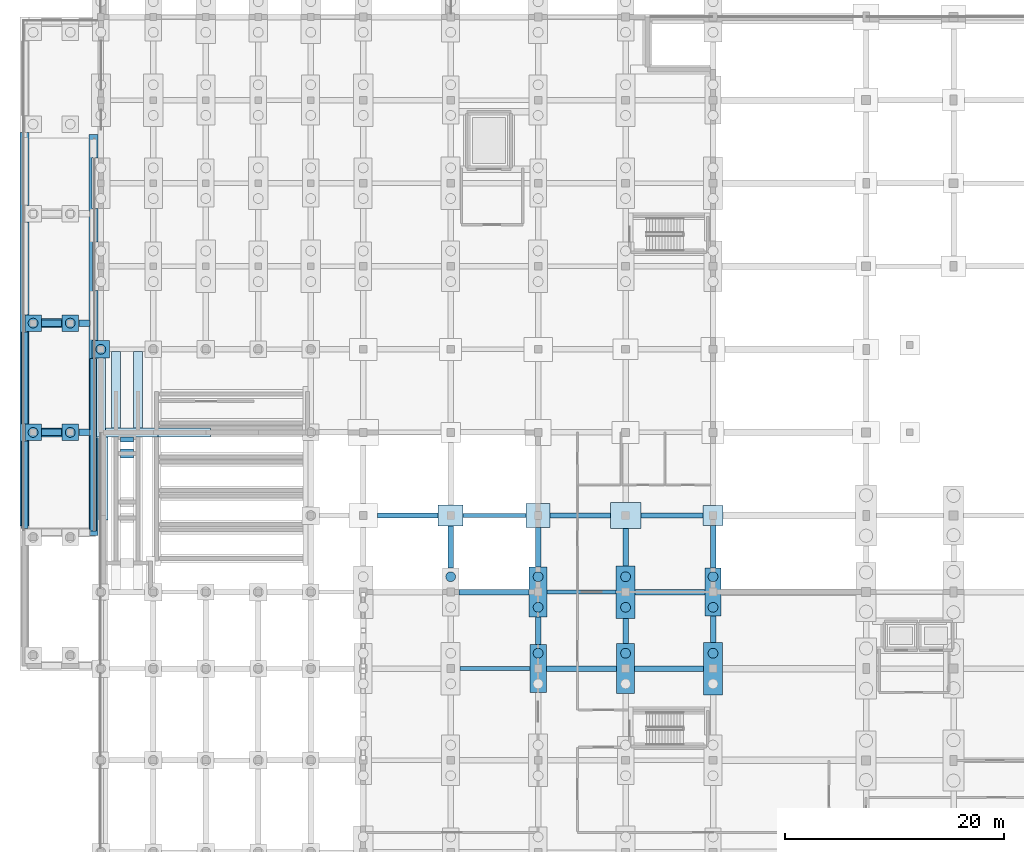
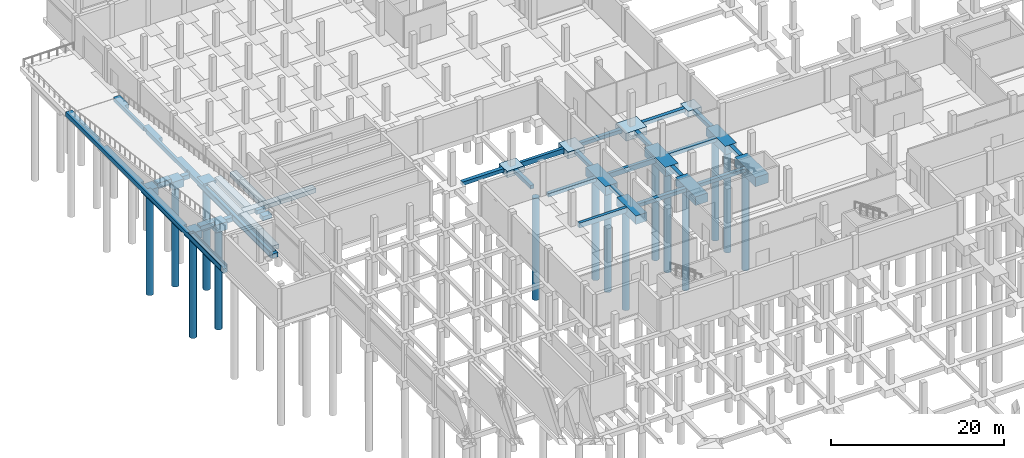
# One storey, part 11 of 50: 51 footings, 15 piles.
"""IFC4 building model written with IfcOpenShell, lengths in metres."""

from ifc_helpers import new_model, si_unit, direction, frame, origin, origin_2d, place, context, subcontext, project, spatial, polyline, rectangle, circle, outline, extrude, material, material_profile, profile_set, type_object, element, save


model = new_model("IFC4")

# Units and contexts
model_context = context("Model", 3, precision=1e-05, world=origin(), true_north=direction((0.0, 1.0)))
body_context = subcontext(model_context, "Body", "Model", "MODEL_VIEW")
ifc_project = project(units=[si_unit("LENGTHUNIT", "METRE"), si_unit("AREAUNIT", "SQUARE_METRE"), si_unit("VOLUMEUNIT", "CUBIC_METRE"), si_unit("PLANEANGLEUNIT", "RADIAN"), si_unit("MASSUNIT", "GRAM", prefix="KILO")], contexts=[model_context])

# Site, building, storey
site_placement = place(None, origin())
site = spatial("IfcSite", under=ifc_project, at=site_placement, CompositionType="ELEMENT")
building_placement = place(site_placement, origin())
building = spatial("IfcBuilding", under=site, at=building_placement, Name="Vekula Escarpment Museum", CompositionType="ELEMENT")
storey_placement = place(building_placement, frame((0.0, 0.0, -4.800048828125)))
storey = spatial("IfcBuildingStorey", under=building, at=storey_placement, Name="B1", CompositionType="ELEMENT", Elevation=-4.800048828125)

# Footings
ifc_material_1 = material(Name="Concrete C35/45", Category="concrete")
footing_type_1 = type_object("IfcFootingType", Name="FB-STRIP-600", PredefinedType="STRIP_FOOTING", material=ifc_material_1)
footing_1_placement = place(storey_placement, frame((0.0, 0.0, -0.89990234375)))
element("IfcFooting", 1, at=footing_1_placement, inside=storey, type_object=footing_type_1, Name="Vehicle Ramp Strip Footing RMP-SLOPE-W-1", PredefinedType="STRIP_FOOTING", context=body_context, shape_type="SweptSolid", body=[
    extrude(outline(polyline([(-7.27490234375, 89.18994140625), (-6.675048828125, 89.18994140625), (-6.675048828125, 97.2099609375), (-7.27490234375, 97.2099609375), (-7.27490234375, 89.18994140625)])), origin(), (0.0, 0.0, 1.0), 0.599853515625),
])
footing_2_placement = place(storey_placement, frame((0.0, 0.0, -0.89990234375)))
element("IfcFooting", 2, at=footing_2_placement, inside=storey, type_object=footing_type_1, Name="Vehicle Ramp Strip Footing RMP-SLOPE-W-2", PredefinedType="STRIP_FOOTING", context=body_context, shape_type="SweptSolid", body=[
    extrude(outline(polyline([(-7.27490234375, 98.7900390625), (-6.675048828125, 98.7900390625), (-6.675048828125, 107.2099609375), (-7.27490234375, 107.2099609375), (-7.27490234375, 98.7900390625)])), origin(), (0.0, 0.0, 1.0), 0.599853515625),
])
footing_3_placement = place(storey_placement, frame((0.0, 0.0, -0.89990234375)))
element("IfcFooting", 3, at=footing_3_placement, inside=storey, type_object=footing_type_1, Name="Vehicle Ramp Strip Footing RMP-SLOPE-E-1", PredefinedType="STRIP_FOOTING", context=body_context, shape_type="SweptSolid", body=[
    extrude(outline(polyline([(-0.985107421875, 89.0), (-0.385009765625, 89.0), (-0.385009765625, 104.760009765625), (-0.985107421875, 104.760009765625), (-0.985107421875, 89.0)])), origin(), (0.0, 0.0, 1.0), 0.599853515625),
])
footing_4_placement = place(storey_placement, frame((0.0, 0.0, -0.89990234375)))
element("IfcFooting", 4, at=footing_4_placement, inside=storey, type_object=footing_type_1, Name="Vehicle Ramp Strip Footing RMP-X-98-1", PredefinedType="STRIP_FOOTING", context=body_context, shape_type="SweptSolid", body=[
    extrude(outline(polyline([(-5.409912109375, 97.699951171875), (-3.590087890625, 97.699951171875), (-3.590087890625, 98.300048828125), (-5.409912109375, 98.300048828125), (-5.409912109375, 97.699951171875)])), origin(), (0.0, 0.0, 1.0), 0.599853515625),
])
footing_5_placement = place(storey_placement, frame((0.0, 0.0, -0.89990234375)))
element("IfcFooting", 5, at=footing_5_placement, inside=storey, type_object=footing_type_1, Name="Vehicle Ramp Strip Footing RMP-X-98-2", PredefinedType="STRIP_FOOTING", context=body_context, shape_type="SweptSolid", body=[
    extrude(outline(polyline([(-2.010009765625, 97.699951171875), (-1.02490234375, 97.699951171875), (-1.02490234375, 98.300048828125), (-2.010009765625, 98.300048828125), (-2.010009765625, 97.699951171875)])), origin(), (0.0, 0.0, 1.0), 0.599853515625),
])
footing_6_placement = place(storey_placement, frame((0.0, 0.0, -0.89990234375)))
element("IfcFooting", 6, at=footing_6_placement, inside=storey, type_object=footing_type_1, Name="Vehicle Ramp Strip Footing RMP-X-108-1", PredefinedType="STRIP_FOOTING", context=body_context, shape_type="SweptSolid", body=[
    extrude(outline(polyline([(-5.409912109375, 107.699951171875), (-3.590087890625, 107.699951171875), (-3.590087890625, 108.300048828125), (-5.409912109375, 108.300048828125), (-5.409912109375, 107.699951171875)])), origin(), (0.0, 0.0, 1.0), 0.599853515625),
])
footing_7_placement = place(storey_placement, frame((0.0, 0.0, -0.89990234375)))
element("IfcFooting", 7, at=footing_7_placement, inside=storey, type_object=footing_type_1, Name="Vehicle Ramp Strip Footing RMP-X-108-2", PredefinedType="STRIP_FOOTING", context=body_context, shape_type="SweptSolid", body=[
    extrude(outline(polyline([(-2.010009765625, 107.699951171875), (-1.02490234375, 107.699951171875), (-1.02490234375, 108.300048828125), (-2.010009765625, 108.300048828125), (-2.010009765625, 107.699951171875)])), origin(), (0.0, 0.0, 1.0), 0.599853515625),
])
footing_8_placement = place(storey_placement, frame((0.0, 0.0, -0.599853515625)))
element("IfcFooting", 8, at=footing_8_placement, inside=storey, type_object=footing_type_1, Name="Plinth Wall Strip Footing 0041", PredefinedType="STRIP_FOOTING", context=body_context, shape_type="SweptSolid", body=[
    extrude(outline(polyline([(0.419921875, 97.56005859375), (-0.381103515625, 97.56005859375), (-0.381103515625, 104.763916015625), (-0.419921875, 104.763916015625), (-0.419921875, 104.7958984375), (0.419921875, 104.7958984375), (0.419921875, 97.56005859375)])), origin(), (0.0, 0.0, 1.0), 0.599853515625),
])
footing_9_placement = place(storey_placement, frame((0.0, 0.0, -0.599853515625)))
element("IfcFooting", 9, at=footing_9_placement, inside=storey, type_object=footing_type_1, Name="Plinth Wall Strip Footing 0042", PredefinedType="STRIP_FOOTING", context=body_context, shape_type="SweptSolid", body=[
    extrude(outline(polyline([(5.219970703125, 98.419921875), (5.219970703125, 97.580078125), (0.424072265625, 97.580078125), (0.424072265625, 98.419921875), (5.219970703125, 98.419921875)])), origin(), (0.0, 0.0, 1.0), 0.599853515625),
])
footing_10_placement = place(storey_placement, frame((0.0, 0.0, -0.599853515625)))
element("IfcFooting", 10, at=footing_10_placement, inside=storey, type_object=footing_type_1, Name="Plinth Wall Strip Footing 0043", PredefinedType="STRIP_FOOTING", context=body_context, shape_type="SweptSolid", body=[
    extrude(outline(polyline([(10.02001953125, 98.419921875), (10.02001953125, 97.580078125), (5.22412109375, 97.580078125), (5.22412109375, 98.419921875), (10.02001953125, 98.419921875)])), origin(), (0.0, 0.0, 1.0), 0.599853515625),
])
footing_11_placement = place(storey_placement, frame((0.0, 0.0, -0.599853515625)))
element("IfcFooting", 11, at=footing_11_placement, inside=storey, type_object=footing_type_1, Name="Plinth Wall Strip Footing 0127", PredefinedType="STRIP_FOOTING", context=body_context, shape_type="SweptSolid", body=[
    extrude(outline(polyline([(0.64501953125, 89.97998046875), (-0.195068359375, 89.97998046875), (-0.195068359375, 97.555908203125), (0.424072265625, 97.555908203125), (0.424072265625, 97.575927734375), (0.64501953125, 97.575927734375), (0.64501953125, 89.97998046875)])), origin(), (0.0, 0.0, 1.0), 0.599853515625),
])
footing_12_placement = place(storey_placement, frame((0.0, 0.0, -0.599853515625)))
element("IfcFooting", 12, at=footing_12_placement, inside=storey, type_object=footing_type_1, Name="Plinth Wall Strip Footing 0147", PredefinedType="STRIP_FOOTING", context=body_context, shape_type="SweptSolid", body=[
    extrude(outline(polyline([(1.81005859375, 98.424072265625), (0.969970703125, 98.424072265625), (0.969970703125, 105.39599609375), (1.81005859375, 105.39599609375), (1.81005859375, 98.424072265625)])), origin(), (0.0, 0.0, 1.0), 0.599853515625),
])
footing_13_placement = place(storey_placement, frame((0.0, 0.0, -0.599853515625)))
element("IfcFooting", 13, at=footing_13_placement, inside=storey, type_object=footing_type_1, Name="Plinth Wall Strip Footing 0149", PredefinedType="STRIP_FOOTING", context=body_context, shape_type="SweptSolid", body=[
    extrude(outline(polyline([(3.830078125, 98.424072265625), (2.989990234375, 98.424072265625), (2.989990234375, 105.39599609375), (3.830078125, 105.39599609375), (3.830078125, 98.424072265625)])), origin(), (0.0, 0.0, 1.0), 0.599853515625),
])
footing_14_placement = place(storey_placement, frame((0.0, 0.0, -0.599853515625)))
element("IfcFooting", 14, at=footing_14_placement, inside=storey, type_object=footing_type_1, Name="Plinth Wall Strip Footing 0150", PredefinedType="STRIP_FOOTING", context=body_context, shape_type="SweptSolid", body=[
    extrude(outline(polyline([(1.81396484375, 95.659912109375), (1.81396484375, 96.5), (2.986083984375, 96.5), (2.986083984375, 95.659912109375), (1.81396484375, 95.659912109375)])), origin(), (0.0, 0.0, 1.0), 0.599853515625),
])
footing_15_placement = place(storey_placement, frame((0.0, 0.0, -0.599853515625)))
element("IfcFooting", 15, at=footing_15_placement, inside=storey, type_object=footing_type_1, Name="Plinth Wall Strip Footing 0151", PredefinedType="STRIP_FOOTING", context=body_context, shape_type="SweptSolid", body=[
    extrude(outline(polyline([(1.81396484375, 97.110107421875), (1.81396484375, 97.575927734375), (2.986083984375, 97.575927734375), (2.986083984375, 97.110107421875), (1.81396484375, 97.110107421875)])), origin(), (0.0, 0.0, 1.0), 0.599853515625),
])
footing_16_placement = place(storey_placement, frame((0.0, 0.0, -0.599853515625)))
element("IfcFooting", 16, at=footing_16_placement, inside=storey, type_object=footing_type_1, Name="Plinth Wall Strip Footing 0209", PredefinedType="STRIP_FOOTING", context=body_context, shape_type="SweptSolid", body=[
    extrude(outline(polyline([(-6.554931640625, 89.444091796875), (-6.6708984375, 89.444091796875), (-6.6708984375, 97.214111328125), (-7.279052734375, 97.214111328125), (-7.279052734375, 89.444091796875), (-7.39501953125, 89.444091796875), (-7.39501953125, 125.43994140625), (-6.554931640625, 125.43994140625), (-6.554931640625, 118.75390625), (-6.9541015625, 118.75390625), (-6.9541015625, 117.24609375), (-6.554931640625, 117.24609375), (-6.554931640625, 108.75390625), (-6.9541015625, 108.75390625), (-6.9541015625, 107.24609375), (-6.554931640625, 107.24609375), (-6.554931640625, 98.75390625), (-6.9541015625, 98.75390625), (-6.9541015625, 97.24609375), (-6.554931640625, 97.24609375), (-6.554931640625, 89.444091796875)])), origin(), (0.0, 0.0, 1.0), 0.599853515625),
])
footing_17_placement = place(storey_placement, frame((0.0, 0.0, -0.599853515625)))
element("IfcFooting", 17, at=footing_17_placement, inside=storey, type_object=footing_type_1, Name="Plinth Wall Strip Footing 0210", PredefinedType="STRIP_FOOTING", context=body_context, shape_type="SweptSolid", body=[
    extrude(outline(polyline([(-0.264892578125, 88.56005859375), (-1.02099609375, 88.56005859375), (-1.02099609375, 89.154052734375), (-1.10498046875, 89.154052734375), (-1.10498046875, 97.696044921875), (-1.02099609375, 97.696044921875), (-1.02099609375, 98.303955078125), (-1.10498046875, 98.303955078125), (-1.10498046875, 107.696044921875), (-1.02099609375, 107.696044921875), (-1.02099609375, 108.303955078125), (-1.10498046875, 108.303955078125), (-1.10498046875, 117.696044921875), (-1.02099609375, 117.696044921875), (-1.02099609375, 118.303955078125), (-1.10498046875, 118.303955078125), (-1.10498046875, 125.239990234375), (-0.264892578125, 125.239990234375), (-0.264892578125, 123.10400390625), (-0.8291015625, 123.10400390625), (-0.8291015625, 118.49609375), (-0.264892578125, 118.49609375), (-0.264892578125, 115.404052734375), (-0.75390625, 115.404052734375), (-0.75390625, 110.99609375), (-0.264892578125, 110.99609375), (-0.264892578125, 106.404052734375), (-0.803955078125, 106.404052734375), (-0.803955078125, 104.7958984375), (-0.424072265625, 104.7958984375), (-0.424072265625, 104.763916015625), (-0.989013671875, 104.763916015625), (-0.989013671875, 88.99609375), (-0.381103515625, 88.99609375), (-0.381103515625, 97.555908203125), (-0.264892578125, 97.555908203125), (-0.264892578125, 88.56005859375)])), origin(), (0.0, 0.0, 1.0), 0.599853515625),
])
footing_18_placement = place(storey_placement, frame((0.0, 0.0, -0.599853515625)))
element("IfcFooting", 18, at=footing_18_placement, inside=storey, type_object=footing_type_1, Name="Plinth Wall Strip Footing 0215", PredefinedType="STRIP_FOOTING", context=body_context, shape_type="SweptSolid", body=[
    extrude(outline(polyline([(-5.446044921875, 97.580078125), (-5.446044921875, 98.419921875), (-3.553955078125, 98.419921875), (-3.553955078125, 97.580078125), (-5.446044921875, 97.580078125)])), origin(), (0.0, 0.0, 1.0), 0.599853515625),
])
footing_19_placement = place(storey_placement, frame((0.0, 0.0, -0.599853515625)))
element("IfcFooting", 19, at=footing_19_placement, inside=storey, type_object=footing_type_1, Name="Plinth Wall Strip Footing 0216", PredefinedType="STRIP_FOOTING", context=body_context, shape_type="SweptSolid", body=[
    extrude(outline(polyline([(-5.446044921875, 107.580078125), (-5.446044921875, 108.419921875), (-3.553955078125, 108.419921875), (-3.553955078125, 107.580078125), (-5.446044921875, 107.580078125)])), origin(), (0.0, 0.0, 1.0), 0.599853515625),
])
ifc_material_2 = material(Name="Concrete C35/45", Category="concrete")
ifc_material_profile_1 = material_profile(ifc_material_2, rectangle(XDim=0.39990234375, YDim=0.699951171875, at=origin_2d()), Name="RC 400x700")
ifc_profile_set_1 = profile_set([ifc_material_profile_1], Name="Concrete C35/45")
footing_type_2 = type_object("IfcFootingType", Name="FB-TIE-400x700", PredefinedType="FOOTING_BEAM", material=ifc_profile_set_1)
footing_20_placement = place(storey_placement, frame((32.875, 76.39990234375, -0.349853515625), z_axis=(1.0, 0.0, 0.0), x_axis=(0.0, 1.0, 0.0)))
element("IfcFooting", 20, at=footing_20_placement, inside=storey, type_object=footing_type_2, Name="Foundation Tie Beam 216", PredefinedType="FOOTING_BEAM", context=body_context, shape_type="SweptSolid", body=[
    extrude(rectangle(XDim=0.39990234375, YDim=0.699951171875, at=origin_2d()), origin(), (0.0, 0.0, 1.0), 6.375),
])
footing_21_placement = place(storey_placement, frame((40.824951171875, 83.39990234375, -0.349853515625), z_axis=(1.0, 0.0, 0.0), x_axis=(0.0, 1.0, 0.0)))
element("IfcFooting", 21, at=footing_21_placement, inside=storey, type_object=footing_type_2, Name="Foundation Tie Beam 240", PredefinedType="FOOTING_BEAM", context=body_context, shape_type="SweptSolid", body=[
    extrude(rectangle(XDim=0.39990234375, YDim=0.699951171875, at=origin_2d()), origin(), (0.0, 0.0, 1.0), 6.300048828125),
])
footing_22_placement = place(storey_placement, frame((33.14990234375, 90.39990234375, -0.349853515625), z_axis=(1.0, 0.0, 0.0), x_axis=(0.0, 1.0, 0.0)))
element("IfcFooting", 22, at=footing_22_placement, inside=storey, type_object=footing_type_2, Name="Foundation Tie Beam 258", PredefinedType="FOOTING_BEAM", context=body_context, shape_type="SweptSolid", body=[
    extrude(rectangle(XDim=0.39990234375, YDim=0.699951171875, at=origin_2d()), origin(), (0.0, 0.0, 1.0), 5.75),
])
ifc_material_3 = material(Name="Concrete C35/45", Category="concrete")
ifc_material_profile_2 = material_profile(ifc_material_3, rectangle(XDim=0.5, YDim=0.5, at=origin_2d()), Name="RC 500x500")
ifc_profile_set_2 = profile_set([ifc_material_profile_2], Name="Concrete C35/45")
footing_type_3 = type_object("IfcFootingType", Name="FB-TIE-500x500", PredefinedType="FOOTING_BEAM", material=ifc_profile_set_2)
footing_23_placement = place(storey_placement, frame((40.75, 76.39990234375, -0.25), z_axis=(1.0, 0.0, 0.0), x_axis=(0.0, 1.0, 0.0)))
element("IfcFooting", 23, at=footing_23_placement, inside=storey, type_object=footing_type_3, Name="Foundation Tie Beam 217", PredefinedType="FOOTING_BEAM", context=body_context, shape_type="SweptSolid", body=[
    extrude(rectangle(XDim=0.5, YDim=0.5, at=origin_2d()), origin(), (0.0, 0.0, 1.0), 6.425048828125),
])
footing_24_placement = place(storey_placement, frame((48.824951171875, 76.39990234375, -0.25), z_axis=(1.0, 0.0, 0.0), x_axis=(0.0, 1.0, 0.0)))
element("IfcFooting", 24, at=footing_24_placement, inside=storey, type_object=footing_type_3, Name="Foundation Tie Beam 218", PredefinedType="FOOTING_BEAM", context=body_context, shape_type="SweptSolid", body=[
    extrude(rectangle(XDim=0.5, YDim=0.5, at=origin_2d()), origin(), (0.0, 0.0, 1.0), 6.300048828125),
])
footing_25_placement = place(storey_placement, frame((32.75, 83.39990234375, -0.25), z_axis=(1.0, 0.0, 0.0), x_axis=(0.0, 1.0, 0.0)))
element("IfcFooting", 25, at=footing_25_placement, inside=storey, type_object=footing_type_3, Name="Foundation Tie Beam 239", PredefinedType="FOOTING_BEAM", context=body_context, shape_type="SweptSolid", body=[
    extrude(rectangle(XDim=0.5, YDim=0.5, at=origin_2d()), origin(), (0.0, 0.0, 1.0), 6.425048828125),
])
footing_26_placement = place(storey_placement, frame((48.875, 83.39990234375, -0.25), z_axis=(1.0, 0.0, 0.0), x_axis=(0.0, 1.0, 0.0)))
element("IfcFooting", 26, at=footing_26_placement, inside=storey, type_object=footing_type_3, Name="Foundation Tie Beam 241", PredefinedType="FOOTING_BEAM", context=body_context, shape_type="SweptSolid", body=[
    extrude(rectangle(XDim=0.5, YDim=0.5, at=origin_2d()), origin(), (0.0, 0.0, 1.0), 6.375),
])
footing_27_placement = place(storey_placement, frame((25.300048828125, 90.39990234375, -0.25), z_axis=(1.0, 0.0, 0.0), x_axis=(0.0, 1.0, 0.0)))
element("IfcFooting", 27, at=footing_27_placement, inside=storey, type_object=footing_type_3, Name="Foundation Tie Beam 257", PredefinedType="FOOTING_BEAM", context=body_context, shape_type="SweptSolid", body=[
    extrude(rectangle(XDim=0.5, YDim=0.5, at=origin_2d()), origin(), (0.0, 0.0, 1.0), 5.550048828125),
])
footing_28_placement = place(storey_placement, frame((41.10009765625, 90.39990234375, -0.25), z_axis=(1.0, 0.0, 0.0), x_axis=(0.0, 1.0, 0.0)))
element("IfcFooting", 28, at=footing_28_placement, inside=storey, type_object=footing_type_3, Name="Foundation Tie Beam 259", PredefinedType="FOOTING_BEAM", context=body_context, shape_type="SweptSolid", body=[
    extrude(rectangle(XDim=0.5, YDim=0.5, at=origin_2d()), origin(), (0.0, 0.0, 1.0), 5.5),
])
footing_29_placement = place(storey_placement, frame((49.39990234375, 90.39990234375, -0.25), z_axis=(1.0, 0.0, 0.0), x_axis=(0.0, 1.0, 0.0)))
element("IfcFooting", 29, at=footing_29_placement, inside=storey, type_object=footing_type_3, Name="Foundation Tie Beam 260", PredefinedType="FOOTING_BEAM", context=body_context, shape_type="SweptSolid", body=[
    extrude(rectangle(XDim=0.5, YDim=0.5, at=origin_2d()), origin(), (0.0, 0.0, 1.0), 5.7001953125),
])
footing_30_placement = place(storey_placement, frame((32.0, 85.60009765625, -0.25), z_axis=(0.0, 1.0, 0.0), x_axis=(-1.0, 0.0, 0.0)))
element("IfcFooting", 30, at=footing_30_placement, inside=storey, type_object=footing_type_3, Name="Foundation Tie Beam 489", PredefinedType="FOOTING_BEAM", context=body_context, shape_type="SweptSolid", body=[
    extrude(rectangle(XDim=0.5, YDim=0.5, at=origin_2d()), origin(), (0.0, 0.0, 1.0), 3.849853515625),
])
footing_31_placement = place(storey_placement, frame((40.0, 78.60009765625, -0.25), z_axis=(0.0, 1.0, 0.0), x_axis=(-1.0, 0.0, 0.0)))
element("IfcFooting", 31, at=footing_31_placement, inside=storey, type_object=footing_type_3, Name="Foundation Tie Beam 506", PredefinedType="FOOTING_BEAM", context=body_context, shape_type="SweptSolid", body=[
    extrude(rectangle(XDim=0.5, YDim=0.5, at=origin_2d()), origin(), (0.0, 0.0, 1.0), 2.5),
])
footing_32_placement = place(storey_placement, frame((40.0, 85.699951171875, -0.25), z_axis=(0.0, 1.0, 0.0), x_axis=(-1.0, 0.0, 0.0)))
element("IfcFooting", 32, at=footing_32_placement, inside=storey, type_object=footing_type_3, Name="Foundation Tie Beam 507", PredefinedType="FOOTING_BEAM", context=body_context, shape_type="SweptSolid", body=[
    extrude(rectangle(XDim=0.5, YDim=0.5, at=origin_2d()), origin(), (0.0, 0.0, 1.0), 3.60009765625),
])
footing_33_placement = place(storey_placement, frame((48.0, 78.699951171875, -0.25), z_axis=(0.0, 1.0, 0.0), x_axis=(-1.0, 0.0, 0.0)))
element("IfcFooting", 33, at=footing_33_placement, inside=storey, type_object=footing_type_3, Name="Foundation Tie Beam 524", PredefinedType="FOOTING_BEAM", context=body_context, shape_type="SweptSolid", body=[
    extrude(rectangle(XDim=0.5, YDim=0.5, at=origin_2d()), origin(), (0.0, 0.0, 1.0), 2.300048828125),
])
footing_34_placement = place(storey_placement, frame((48.0, 85.800048828125, -0.25), z_axis=(0.0, 1.0, 0.0), x_axis=(-1.0, 0.0, 0.0)))
element("IfcFooting", 34, at=footing_34_placement, inside=storey, type_object=footing_type_3, Name="Foundation Tie Beam 525", PredefinedType="FOOTING_BEAM", context=body_context, shape_type="SweptSolid", body=[
    extrude(rectangle(XDim=0.5, YDim=0.5, at=origin_2d()), origin(), (0.0, 0.0, 1.0), 3.39990234375),
])
footing_35_placement = place(storey_placement, frame((56.0, 78.800048828125, -0.25), z_axis=(0.0, 1.0, 0.0), x_axis=(-1.0, 0.0, 0.0)))
element("IfcFooting", 35, at=footing_35_placement, inside=storey, type_object=footing_type_3, Name="Foundation Tie Beam 542", PredefinedType="FOOTING_BEAM", context=body_context, shape_type="SweptSolid", body=[
    extrude(rectangle(XDim=0.5, YDim=0.5, at=origin_2d()), origin(), (0.0, 0.0, 1.0), 2.39990234375),
])
footing_36_placement = place(storey_placement, frame((56.0, 85.60009765625, -0.25), z_axis=(0.0, 1.0, 0.0), x_axis=(-1.0, 0.0, 0.0)))
element("IfcFooting", 36, at=footing_36_placement, inside=storey, type_object=footing_type_3, Name="Foundation Tie Beam 543", PredefinedType="FOOTING_BEAM", context=body_context, shape_type="SweptSolid", body=[
    extrude(rectangle(XDim=0.5, YDim=0.5, at=origin_2d()), origin(), (0.0, 0.0, 1.0), 3.89990234375),
])
ifc_material_4 = material(Name="Concrete C35/45", Category="concrete")
footing_type_4 = type_object("IfcFootingType", Name="FC-PAD1", PredefinedType="PAD_FOOTING", material=ifc_material_4)
footing_37_placement = place(storey_placement, frame((0.0, 0.0, -0.849853515625)))
element("IfcFooting", 37, at=footing_37_placement, inside=storey, type_object=footing_type_4, Name="Foundation FC-PAD1 (56.0,90.4)", PredefinedType="PAD_FOOTING", context=body_context, shape_type="SweptSolid", body=[
    extrude(outline(polyline([(55.10009765625, 89.5), (56.89990234375, 89.5), (56.89990234375, 91.300048828125), (55.10009765625, 91.300048828125), (55.10009765625, 89.5)])), origin(), (0.0, 0.0, 1.0), 0.849853515625),
])
ifc_material_5 = material(Name="Concrete C35/45", Category="concrete")
footing_type_5 = type_object("IfcFootingType", Name="FC-PAD3", PredefinedType="PAD_FOOTING", material=ifc_material_5)
footing_38_placement = place(storey_placement, frame((0.0, 0.0, -0.949951171875)))
element("IfcFooting", 38, at=footing_38_placement, inside=storey, type_object=footing_type_5, Name="Foundation FC-PAD3 (40.0,90.4)", PredefinedType="PAD_FOOTING", context=body_context, shape_type="SweptSolid", body=[
    extrude(outline(polyline([(38.89990234375, 89.300048828125), (41.10009765625, 89.300048828125), (41.10009765625, 91.5), (38.89990234375, 91.5), (38.89990234375, 89.300048828125)])), origin(), (0.0, 0.0, 1.0), 0.949951171875),
])
ifc_material_6 = material(Name="Concrete C35/45", Category="concrete")
footing_type_6 = type_object("IfcFootingType", Name="FC-PAD6", PredefinedType="PAD_FOOTING", material=ifc_material_6)
footing_39_placement = place(storey_placement, frame((0.0, 0.0, -1.099853515625)))
element("IfcFooting", 39, at=footing_39_placement, inside=storey, type_object=footing_type_6, Name="Foundation FC-PAD6 (48.0,90.4)", PredefinedType="PAD_FOOTING", context=body_context, shape_type="SweptSolid", body=[
    extrude(outline(polyline([(46.60009765625, 89.199951171875), (49.39990234375, 89.199951171875), (49.39990234375, 91.60009765625), (46.60009765625, 91.60009765625), (46.60009765625, 89.199951171875)])), origin(), (0.0, 0.0, 1.0), 1.099853515625),
])
ifc_material_7 = material(Name="Concrete C35/45", Category="concrete")
footing_type_7 = type_object("IfcFootingType", Name="FC-PAD8", PredefinedType="PAD_FOOTING", material=ifc_material_7)
footing_40_placement = place(storey_placement, frame((0.0, 0.0, -0.89990234375)))
element("IfcFooting", 40, at=footing_40_placement, inside=storey, type_object=footing_type_7, Name="Foundation FC-PAD8 (32.0,90.4)", PredefinedType="PAD_FOOTING", context=body_context, shape_type="SweptSolid", body=[
    extrude(outline(polyline([(30.85009765625, 89.449951171875), (33.14990234375, 89.449951171875), (33.14990234375, 91.35009765625), (30.85009765625, 91.35009765625), (30.85009765625, 89.449951171875)])), origin(), (0.0, 0.0, 1.0), 0.89990234375),
])
ifc_material_8 = material(Name="Concrete C35/45", Category="concrete")
footing_type_8 = type_object("IfcFootingType", Name="FC-PC1A", PredefinedType="PILE_CAP", material=ifc_material_8)
footing_41_placement = place(storey_placement, frame((0.0, 0.0, -1.39990234375)))
element("IfcFooting", 41, at=footing_41_placement, inside=storey, type_object=footing_type_8, Name="Vehicle Ramp Pile Cap 05", PredefinedType="PILE_CAP", context=body_context, shape_type="SweptSolid", body=[
    extrude(outline(polyline([(-6.949951171875, 97.25), (-5.449951171875, 97.25), (-5.449951171875, 98.75), (-6.949951171875, 98.75), (-6.949951171875, 97.25)])), origin(), (0.0, 0.0, 1.0), 1.099853515625),
])
footing_42_placement = place(storey_placement, frame((0.0, 0.0, -1.39990234375)))
element("IfcFooting", 42, at=footing_42_placement, inside=storey, type_object=footing_type_8, Name="Vehicle Ramp Pile Cap 06", PredefinedType="PILE_CAP", context=body_context, shape_type="SweptSolid", body=[
    extrude(outline(polyline([(-3.550048828125, 97.25), (-2.050048828125, 97.25), (-2.050048828125, 98.75), (-3.550048828125, 98.75), (-3.550048828125, 97.25)])), origin(), (0.0, 0.0, 1.0), 1.099853515625),
])
footing_43_placement = place(storey_placement, frame((0.0, 0.0, -1.39990234375)))
element("IfcFooting", 43, at=footing_43_placement, inside=storey, type_object=footing_type_8, Name="Vehicle Ramp Pile Cap 07", PredefinedType="PILE_CAP", context=body_context, shape_type="SweptSolid", body=[
    extrude(outline(polyline([(-6.949951171875, 107.25), (-5.449951171875, 107.25), (-5.449951171875, 108.75), (-6.949951171875, 108.75), (-6.949951171875, 107.25)])), origin(), (0.0, 0.0, 1.0), 1.099853515625),
])
footing_44_placement = place(storey_placement, frame((0.0, 0.0, -1.39990234375)))
element("IfcFooting", 44, at=footing_44_placement, inside=storey, type_object=footing_type_8, Name="Vehicle Ramp Pile Cap 08", PredefinedType="PILE_CAP", context=body_context, shape_type="SweptSolid", body=[
    extrude(outline(polyline([(-3.550048828125, 107.25), (-2.050048828125, 107.25), (-2.050048828125, 108.75), (-3.550048828125, 108.75), (-3.550048828125, 107.25)])), origin(), (0.0, 0.0, 1.0), 1.099853515625),
])
ifc_material_9 = material(Name="Concrete C35/45", Category="concrete")
footing_type_9 = type_object("IfcFootingType", Name="FC-PC1B", PredefinedType="PILE_CAP", material=ifc_material_9)
footing_45_placement = place(storey_placement, frame((0.0, 0.0, -1.14990234375)))
element("IfcFooting", 45, at=footing_45_placement, inside=storey, type_object=footing_type_9, Name="Foundation FC-PC1B (0.0,105.6)", PredefinedType="PILE_CAP", context=body_context, shape_type="SweptSolid", body=[
    extrude(outline(polyline([(-0.800048828125, 104.800048828125), (0.800048828125, 104.800048828125), (0.800048828125, 106.39990234375), (-0.800048828125, 106.39990234375), (-0.800048828125, 104.800048828125)])), origin(), (0.0, 0.0, 1.0), 1.14990234375),
])
ifc_material_10 = material(Name="Concrete C35/45", Category="concrete")
footing_type_10 = type_object("IfcFootingType", Name="FC-PC2Y-A", PredefinedType="PILE_CAP", material=ifc_material_10)
footing_46_placement = place(storey_placement, frame((0.0, 0.0, -1.199951171875)))
element("IfcFooting", 46, at=footing_46_placement, inside=storey, type_object=footing_type_10, Name="Foundation FC-PC2Y-A (40.0,76.4)", PredefinedType="PILE_CAP", context=body_context, shape_type="SweptSolid", body=[
    extrude(outline(polyline([(39.25, 74.199951171875), (40.75, 74.199951171875), (40.75, 78.60009765625), (39.25, 78.60009765625), (39.25, 74.199951171875)])), origin(), (0.0, 0.0, 1.0), 1.199951171875),
])
footing_47_placement = place(storey_placement, frame((0.0, 0.0, -1.199951171875)))
element("IfcFooting", 47, at=footing_47_placement, inside=storey, type_object=footing_type_10, Name="Foundation FC-PC2Y-A (56.0,83.4)", PredefinedType="PILE_CAP", context=body_context, shape_type="SweptSolid", body=[
    extrude(outline(polyline([(55.25, 81.199951171875), (56.75, 81.199951171875), (56.75, 85.60009765625), (55.25, 85.60009765625), (55.25, 81.199951171875)])), origin(), (0.0, 0.0, 1.0), 1.199951171875),
])
ifc_material_11 = material(Name="Concrete C35/45", Category="concrete")
footing_type_11 = type_object("IfcFootingType", Name="FC-PC2Y-B", PredefinedType="PILE_CAP", material=ifc_material_11)
footing_48_placement = place(storey_placement, frame((0.0, 0.0, -1.25)))
element("IfcFooting", 48, at=footing_48_placement, inside=storey, type_object=footing_type_11, Name="Foundation FC-PC2Y-B (40.0,83.4)", PredefinedType="PILE_CAP", context=body_context, shape_type="SweptSolid", body=[
    extrude(outline(polyline([(39.175048828125, 81.10009765625), (40.824951171875, 81.10009765625), (40.824951171875, 85.699951171875), (39.175048828125, 85.699951171875), (39.175048828125, 81.10009765625)])), origin(), (0.0, 0.0, 1.0), 1.25),
])
footing_49_placement = place(storey_placement, frame((0.0, 0.0, -1.25)))
element("IfcFooting", 49, at=footing_49_placement, inside=storey, type_object=footing_type_11, Name="Foundation FC-PC2Y-B (48.0,76.4)", PredefinedType="PILE_CAP", context=body_context, shape_type="SweptSolid", body=[
    extrude(outline(polyline([(47.175048828125, 74.10009765625), (48.824951171875, 74.10009765625), (48.824951171875, 78.699951171875), (47.175048828125, 78.699951171875), (47.175048828125, 74.10009765625)])), origin(), (0.0, 0.0, 1.0), 1.25),
])
ifc_material_12 = material(Name="Concrete C35/45", Category="concrete")
footing_type_12 = type_object("IfcFootingType", Name="FC-PC2Y-C", PredefinedType="PILE_CAP", material=ifc_material_12)
footing_50_placement = place(storey_placement, frame((0.0, 0.0, -1.300048828125)))
element("IfcFooting", 50, at=footing_50_placement, inside=storey, type_object=footing_type_12, Name="Foundation FC-PC2Y-C (48.0,83.4)", PredefinedType="PILE_CAP", context=body_context, shape_type="SweptSolid", body=[
    extrude(outline(polyline([(47.125, 81.0), (48.875, 81.0), (48.875, 85.800048828125), (47.125, 85.800048828125), (47.125, 81.0)])), origin(), (0.0, 0.0, 1.0), 1.300048828125),
])
footing_51_placement = place(storey_placement, frame((0.0, 0.0, -1.300048828125)))
element("IfcFooting", 51, at=footing_51_placement, inside=storey, type_object=footing_type_12, Name="Foundation FC-PC2Y-C (56.0,76.4)", PredefinedType="PILE_CAP", context=body_context, shape_type="SweptSolid", body=[
    extrude(outline(polyline([(55.125, 74.0), (56.875, 74.0), (56.875, 78.800048828125), (55.125, 78.800048828125), (55.125, 74.0)])), origin(), (0.0, 0.0, 1.0), 1.300048828125),
])

# Piles
ifc_material_13 = material(Name="Concrete C35/45", Category="concrete")
ifc_material_profile_3 = material_profile(ifc_material_13, circle(Radius=0.449951171875, at=origin_2d()), Name="BORED PILE 900")
ifc_profile_set_3 = profile_set([ifc_material_profile_3], Name="Concrete C35/45")
pile_type = type_object("IfcPileType", Name="PILE-B900", PredefinedType="BORED", material=ifc_profile_set_3)
pile_placement = place(storey_placement, frame((0.0, 105.60009765625, -1.050048828125), z_axis=(0.0, 0.0, -1.0), x_axis=(1.0, 0.0, 0.0)))
element("IfcPile", 52, at=pile_placement, inside=storey, type_object=pile_type, Name="Bored Pile (0.0,105.6)", PredefinedType="BORED", context=body_context, shape_type="SweptSolid", body=[
    extrude(circle(Radius=0.449951171875, at=origin_2d()), origin(), (0.0, 0.0, 1.0), 14.449951171875),
])
for number, where, z_axis, x_axis, name in (
    (53, (32.0, 84.800048828125, -1.099853515625), (0.0, 0.0, -1.0), (1.0, 0.0, 0.0), "Bored Pile (32.0,84.8)"),
    (54, (40.0, 77.800048828125, -1.099853515625), (0.0, 0.0, -1.0), (1.0, 0.0, 0.0), "Bored Pile (40.0,77.8)"),
):
    element("IfcPile", number, at=place(storey_placement, frame(where, z_axis=z_axis, x_axis=x_axis)), inside=storey, type_object=pile_type, Name=name, PredefinedType="BORED", context=body_context, shape_type="SweptSolid", body=[
        extrude(circle(Radius=0.449951171875, at=origin_2d()), origin(), (0.0, 0.0, 1.0), 14.39990234375),
    ])
for number, where, z_axis, x_axis, name in (
    (55, (40.0, 82.0, -1.14990234375), (0.0, 0.0, -1.0), (1.0, 0.0, 0.0), "Bored Pile (40.0,82.0)"),
    (56, (40.0, 84.800048828125, -1.14990234375), (0.0, 0.0, -1.0), (1.0, 0.0, 0.0), "Bored Pile (40.0,84.8)"),
    (57, (48.0, 77.800048828125, -1.14990234375), (0.0, 0.0, -1.0), (1.0, 0.0, 0.0), "Bored Pile (48.0,77.8)"),
):
    element("IfcPile", number, at=place(storey_placement, frame(where, z_axis=z_axis, x_axis=x_axis)), inside=storey, type_object=pile_type, Name=name, PredefinedType="BORED", context=body_context, shape_type="SweptSolid", body=[
        extrude(circle(Radius=0.449951171875, at=origin_2d()), origin(), (0.0, 0.0, 1.0), 14.35009765625),
    ])
for number, where, z_axis, x_axis, name in (
    (58, (48.0, 82.0, -1.199951171875), (0.0, 0.0, -1.0), (1.0, 0.0, 0.0), "Bored Pile (48.0,82.0)"),
    (59, (48.0, 84.800048828125, -1.199951171875), (0.0, 0.0, -1.0), (1.0, 0.0, 0.0), "Bored Pile (48.0,84.8)"),
    (60, (56.0, 77.800048828125, -1.199951171875), (0.0, 0.0, -1.0), (1.0, 0.0, 0.0), "Bored Pile (56.0,77.8)"),
):
    element("IfcPile", number, at=place(storey_placement, frame(where, z_axis=z_axis, x_axis=x_axis)), inside=storey, type_object=pile_type, Name=name, PredefinedType="BORED", context=body_context, shape_type="SweptSolid", body=[
        extrude(circle(Radius=0.449951171875, at=origin_2d()), origin(), (0.0, 0.0, 1.0), 14.300048828125),
    ])
for number, where, z_axis, x_axis, name in (
    (61, (56.0, 82.0, -1.099853515625), (0.0, 0.0, -1.0), (1.0, 0.0, 0.0), "Bored Pile (56.0,82.0)"),
    (62, (56.0, 84.800048828125, -1.099853515625), (0.0, 0.0, -1.0), (1.0, 0.0, 0.0), "Bored Pile (56.0,84.8)"),
):
    element("IfcPile", number, at=place(storey_placement, frame(where, z_axis=z_axis, x_axis=x_axis)), inside=storey, type_object=pile_type, Name=name, PredefinedType="BORED", context=body_context, shape_type="SweptSolid", body=[
        extrude(circle(Radius=0.449951171875, at=origin_2d()), origin(), (0.0, 0.0, 1.0), 14.39990234375),
    ])
for number, where, z_axis, x_axis, name in (
    (63, (-6.199951171875, 98.0, -1.300048828125), (0.0, 0.0, -1.0), (1.0, 0.0, 0.0), "Vehicle Ramp Bored Pile 05"),
    (64, (-2.800048828125, 98.0, -1.300048828125), (0.0, 0.0, -1.0), (1.0, 0.0, 0.0), "Vehicle Ramp Bored Pile 06"),
    (65, (-6.199951171875, 108.0, -1.300048828125), (0.0, 0.0, -1.0), (1.0, 0.0, 0.0), "Vehicle Ramp Bored Pile 07"),
    (66, (-2.800048828125, 108.0, -1.300048828125), (0.0, 0.0, -1.0), (1.0, 0.0, 0.0), "Vehicle Ramp Bored Pile 08"),
):
    element("IfcPile", number, at=place(storey_placement, frame(where, z_axis=z_axis, x_axis=x_axis)), inside=storey, type_object=pile_type, Name=name, PredefinedType="BORED", context=body_context, shape_type="SweptSolid", body=[
        extrude(circle(Radius=0.449951171875, at=origin_2d()), origin(), (0.0, 0.0, 1.0), 14.199951171875),
    ])

save(model, "model.ifc")
